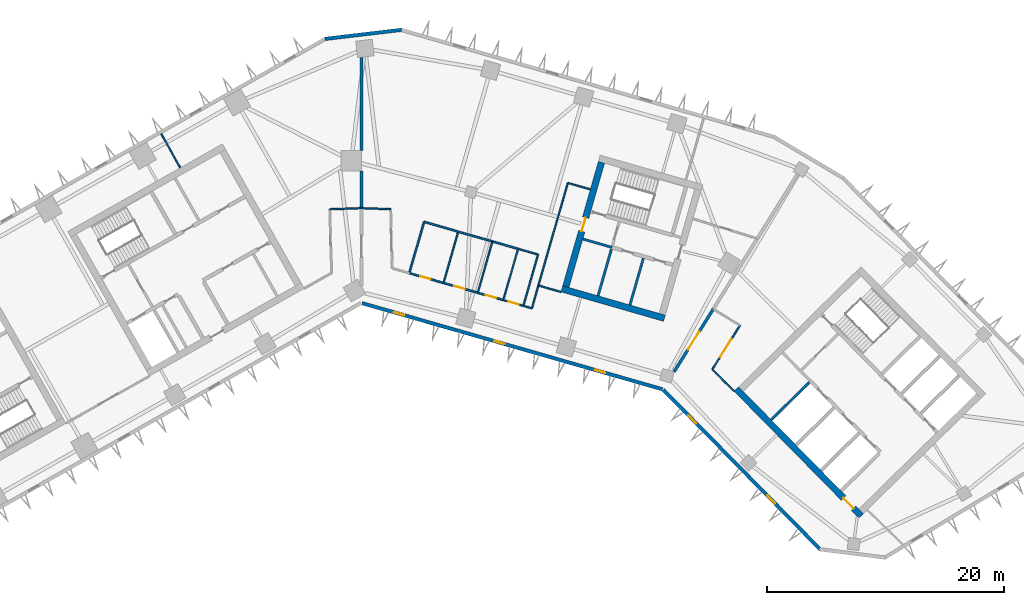
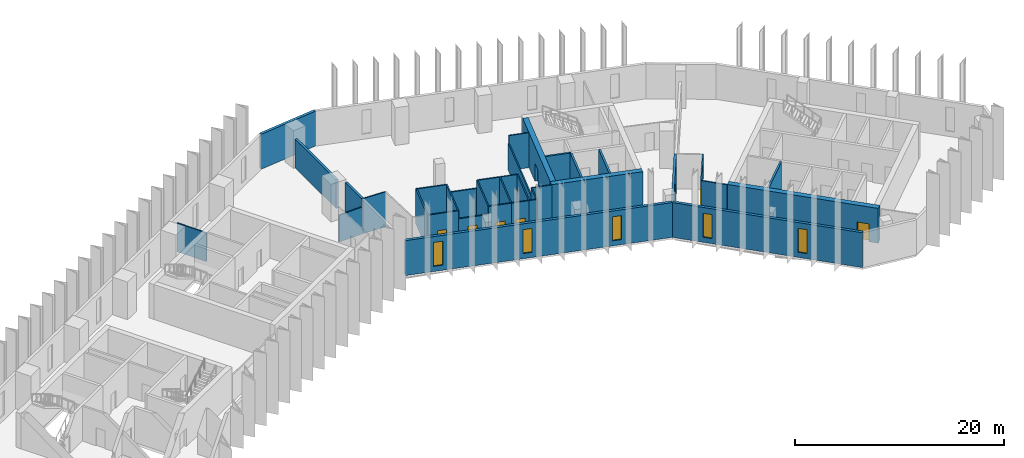
# One storey, part 5 of 11: 36 walls, 8 doors, 5 windows, 13 openings.
"""IFC4 building model written with IfcOpenShell, lengths in metres."""

from ifc_helpers import new_model, si_unit, direction, frame, frame_2d, origin, place, context, subcontext, project, spatial, rectangle, extrude, material, layer, layer_set, type_object, element, fill, save


model = new_model("IFC4")

# Units and contexts
model_context = context("Model", 3, precision=1e-05, world=origin(), true_north=direction((0.0, 1.0)))
body_context = subcontext(model_context, "Body", "Model", "MODEL_VIEW")
ifc_project = project(units=[si_unit("LENGTHUNIT", "METRE"), si_unit("AREAUNIT", "SQUARE_METRE"), si_unit("VOLUMEUNIT", "CUBIC_METRE"), si_unit("PLANEANGLEUNIT", "RADIAN"), si_unit("MASSUNIT", "GRAM", prefix="KILO")], contexts=[model_context])

# Site, building, storey
site_placement = place(None, origin())
site = spatial("IfcSite", under=ifc_project, at=site_placement, CompositionType="ELEMENT")
building_placement = place(site_placement, origin())
building = spatial("IfcBuilding", under=site, at=building_placement, Name="Binnacle Exchange Tower", CompositionType="ELEMENT")
storey_placement = place(building_placement, frame((0.0, 0.0, 123.5)))
storey = spatial("IfcBuildingStorey", under=building, at=storey_placement, Name="L25", CompositionType="ELEMENT", Elevation=123.5)

# Wall
ifc_material_1 = material(Name="Gypsum partition fire rated")
ifc_layer_1 = layer(ifc_material_1, 0.199951171875)
ifc_layer_set_1 = layer_set([ifc_layer_1], Name="Core partition 200")
wall_type_1 = type_object("IfcWallType", Name="Core partition 200", PredefinedType="PARTITIONING", material=ifc_layer_set_1)
wall_1_placement = place(storey_placement, frame((22.65087890625, 47.835205078125, 0.0), z_axis=(0.0, 0.0, 1.0), x_axis=(0.275625388668, 0.961265127383, 0.0)))
element("IfcWall", 1, at=wall_1_placement, inside=storey, type_object=wall_type_1, Name="Core wall CRWD10", PredefinedType="PARTITIONING", context=body_context, shape_type="SweptSolid", body=[
    extrude(rectangle(XDim=4.100341796875, YDim=0.199951171875, at=frame_2d((2.05029296875, 0.0))), origin(), (0.0, 0.0, 1.0), 4.080078125),
])

# Wall, opening, door
ifc_material_2 = material(Name="Concrete C70/85", Category="concrete")
ifc_layer_2 = layer(ifc_material_2, 0.550048828125)
ifc_layer_set_2 = layer_set([ifc_layer_2], Name="Core wall - outer 550")
wall_type_2 = type_object("IfcWallType", Name="Core wall - outer 550", PredefinedType="SOLIDWALL", material=ifc_layer_set_2)
wall_2_placement = place(storey_placement, frame((31.627685546875, 40.7451171875, 0.0), z_axis=(0.0, 0.0, 1.0), x_axis=(0.700911255944, -0.713248491965, 0.0)))
wall_2 = element("IfcWall", 2, at=wall_2_placement, inside=storey, type_object=wall_type_2, Name="Core wall CRWB1", PredefinedType="SOLIDWALL", context=body_context, shape_type="SweptSolid", body=[
    extrude(rectangle(XDim=15.0, YDim=0.550048828125, at=frame_2d((7.5, 0.0))), origin(), (0.0, 0.0, 1.0), 4.080078125),
])
opening_1_placement = place(wall_2_placement, frame((12.89990234375, 0.0, 0.0)))
opening_1 = element("IfcOpeningElement", 3, at=opening_1_placement, cuts=wall_2, Name="Opening DB7", PredefinedType="OPENING", context=body_context, shape_type="SweptSolid", body=[
    extrude(rectangle(XDim=1.199951171875, YDim=2.10009765625, at=frame_2d((0.60009765625, 1.050048828125))), frame((0.0, 0.284912109375, 0.0), z_axis=(0.0, -1.0, 0.0), x_axis=(1.0, 0.0, 0.0)), (0.0, 0.0, 1.0), 0.570068359375),
])
ifc_material_3 = material(Name="Steel door leaf", Category="steel")
door_type_1 = type_object("IfcDoorType", Name="Fire door 1200", OperationType="NOTDEFINED", PredefinedType="DOOR", material=ifc_material_3)
door_1_placement = place(opening_1_placement, frame((1.199951171875, 0.0, 0.0), z_axis=(0.0, 0.0, 1.0), x_axis=(-1.0, 0.0, 0.0)))
door_1 = element("IfcDoor", 4, at=door_1_placement, inside=storey, type_object=door_type_1, Name="Lift lobby entrance door core B", OperationType="SINGLE_SWING_LEFT", OverallHeight=2.10009765625, OverallWidth=1.199951171875, PredefinedType="DOOR", context=body_context, shape_type="SweptSolid", body=[
    extrude(rectangle(XDim=1.199951171875, YDim=2.10009765625, at=frame_2d((0.60009765625, 1.050048828125))), frame((0.0, 0.02490234375, 0.0), z_axis=(0.0, -1.0, 0.0), x_axis=(1.0, 0.0, 0.0)), (0.0, 0.0, 1.0), 0.050048828125),
])
fill(opening_1, door_1)

# Wall
wall_3_placement = place(storey_placement, frame((16.90380859375, 49.197265625, 0.0), z_axis=(0.0, 0.0, 1.0), x_axis=(0.96126248289, -0.275634611374, 0.0)))
element("IfcWall", 5, at=wall_3_placement, inside=storey, type_object=wall_type_2, Name="Core wall CRWD1", PredefinedType="SOLIDWALL", context=body_context, shape_type="SweptSolid", body=[
    extrude(rectangle(XDim=9.0, YDim=0.550048828125, at=frame_2d((4.5, 0.0))), origin(), (0.0, 0.0, 1.0), 4.080078125),
])

# Wall, opening, door
wall_4_placement = place(storey_placement, frame((17.243896484375, 49.3857421875, 0.0), z_axis=(0.0, 0.0, 1.0), x_axis=(0.275632146085, 0.96126318979, 0.0)))
wall_4 = element("IfcWall", 6, at=wall_4_placement, inside=storey, type_object=wall_type_2, Name="Core wall CRWD7", PredefinedType="SOLIDWALL", context=body_context, shape_type="SweptSolid", body=[
    extrude(rectangle(XDim=10.89990234375, YDim=0.550048828125, at=frame_2d((5.449951171875, 0.0))), origin(), (0.0, 0.0, 1.0), 4.080078125),
])
opening_2_placement = place(wall_4_placement, frame((4.85009765625, 0.0, 0.0)))
opening_2 = element("IfcOpeningElement", 7, at=opening_2_placement, cuts=wall_4, Name="Opening DD5", PredefinedType="OPENING", context=body_context, shape_type="SweptSolid", body=[
    extrude(rectangle(XDim=1.199951171875, YDim=2.10009765625, at=frame_2d((0.60009765625, 1.050048828125))), frame((0.0, 0.284912109375, 0.0), z_axis=(0.0, -1.0, 0.0), x_axis=(1.0, 0.0, 0.0)), (0.0, 0.0, 1.0), 0.570068359375),
])
door_2_placement = place(opening_2_placement, origin())
door_2 = element("IfcDoor", 8, at=door_2_placement, inside=storey, type_object=door_type_1, Name="Vestibule exit door VEST-W", OperationType="SINGLE_SWING_RIGHT", OverallHeight=2.10009765625, OverallWidth=1.199951171875, PredefinedType="DOOR", context=body_context, shape_type="SweptSolid", body=[
    extrude(rectangle(XDim=1.199951171875, YDim=2.10009765625, at=frame_2d((0.60009765625, 1.050048828125))), frame((0.0, 0.02490234375, 0.0), z_axis=(0.0, -1.0, 0.0), x_axis=(1.0, 0.0, 0.0)), (0.0, 0.0, 1.0), 0.050048828125),
])
fill(opening_2, door_2)

# Wall
ifc_material_4 = material(Name="Bronze aluminium cladding", Category="aluminium")
ifc_layer_3 = layer(ifc_material_4, 0.300048828125)
ifc_layer_set_3 = layer_set([ifc_layer_3], Name="External wall - spandrel 300")
wall_type_3 = type_object("IfcWallType", Name="External wall - spandrel 300", PredefinedType="STANDARD", material=ifc_layer_set_3)
wall_5_placement = place(storey_placement, frame((-3.076171875, 70.27294921875, 0.0), z_axis=(0.0, 0.0, 1.0), x_axis=(0.993067743007, 0.117543429416, 0.0)))
element("IfcWall", 9, at=wall_5_placement, inside=storey, type_object=wall_type_3, Name="External wall EW-F02 L25", PredefinedType="STANDARD", context=body_context, shape_type="SweptSolid", body=[
    extrude(rectangle(XDim=6.515625, YDim=0.300048828125, at=frame_2d((3.2578125, 0.0))), origin(), (0.0, 0.0, 1.0), 4.080078125),
])

# Wall, openings, windows
wall_6_placement = place(storey_placement, frame((25.398193359375, 40.71728515625, 0.0), z_axis=(0.0, 0.0, 1.0), x_axis=(-0.961262423262, 0.275634819324, 0.0)))
wall_6 = element("IfcWall", 10, at=wall_6_placement, inside=storey, type_object=wall_type_3, Name="External wall EW-F08 L25", PredefinedType="STANDARD", context=body_context, shape_type="SweptSolid", body=[
    extrude(rectangle(XDim=26.358642578125, YDim=0.300048828125, at=frame_2d((13.17919921875, 0.0))), origin(), (0.0, 0.0, 1.0), 4.080078125),
])
opening_3_placement = place(wall_6_placement, frame((22.6640625, 0.0, 0.60009765625)))
opening_3 = element("IfcOpeningElement", 11, at=opening_3_placement, cuts=wall_6, Name="Opening WS2", PredefinedType="OPENING", context=body_context, shape_type="SweptSolid", body=[
    extrude(rectangle(XDim=0.89990234375, YDim=2.800048828125, at=frame_2d((0.449951171875, 1.39990234375))), frame((0.0, 0.159912109375, 0.0), z_axis=(0.0, -1.0, 0.0), x_axis=(1.0, 0.0, 0.0)), (0.0, 0.0, 1.0), 0.320068359375),
])
opening_4_placement = place(wall_6_placement, frame((13.843505859375, 0.0, 0.60009765625)))
opening_4 = element("IfcOpeningElement", 12, at=opening_4_placement, cuts=wall_6, Name="Opening WS2", PredefinedType="OPENING", context=body_context, shape_type="SweptSolid", body=[
    extrude(rectangle(XDim=0.89990234375, YDim=2.800048828125, at=frame_2d((0.449951171875, 1.39990234375))), frame((0.0, 0.159912109375, 0.0), z_axis=(0.0, -1.0, 0.0), x_axis=(1.0, 0.0, 0.0)), (0.0, 0.0, 1.0), 0.320068359375),
])
opening_5_placement = place(wall_6_placement, frame((5.023193359375, 0.0, 0.60009765625)))
opening_5 = element("IfcOpeningElement", 13, at=opening_5_placement, cuts=wall_6, Name="Opening WS2", PredefinedType="OPENING", context=body_context, shape_type="SweptSolid", body=[
    extrude(rectangle(XDim=0.89990234375, YDim=2.800048828125, at=frame_2d((0.449951171875, 1.39990234375))), frame((0.0, 0.159912109375, 0.0), z_axis=(0.0, -1.0, 0.0), x_axis=(1.0, 0.0, 0.0)), (0.0, 0.0, 1.0), 0.320068359375),
])
ifc_material_5 = material(Name="Bronze anodised aluminium frame", Category="aluminium")
window_type = type_object("IfcWindowType", Name="WS2 WINDOW 900x2800", PartitioningType="SINGLE_PANEL", PredefinedType="WINDOW", material=ifc_material_5)
window_1_placement = place(opening_3_placement, origin())
window_1 = element("IfcWindow", 14, at=window_1_placement, inside=storey, type_object=window_type, Name="Window WS2 L25", OverallHeight=2.800048828125, OverallWidth=0.89990234375, PartitioningType="SINGLE_PANEL", PredefinedType="WINDOW", context=body_context, shape_type="SweptSolid", body=[
    extrude(rectangle(XDim=0.89990234375, YDim=2.800048828125, at=frame_2d((0.449951171875, 1.39990234375))), frame((0.0, 0.030029296875, 0.0), z_axis=(0.0, -1.0, 0.0), x_axis=(1.0, 0.0, 0.0)), (0.0, 0.0, 1.0), 0.06005859375),
])
fill(opening_3, window_1)
window_2_placement = place(opening_4_placement, origin())
window_2 = element("IfcWindow", 15, at=window_2_placement, inside=storey, type_object=window_type, Name="Window WS2 L25", OverallHeight=2.800048828125, OverallWidth=0.89990234375, PartitioningType="SINGLE_PANEL", PredefinedType="WINDOW", context=body_context, shape_type="SweptSolid", body=[
    extrude(rectangle(XDim=0.89990234375, YDim=2.800048828125, at=frame_2d((0.449951171875, 1.39990234375))), frame((0.0, 0.030029296875, 0.0), z_axis=(0.0, -1.0, 0.0), x_axis=(1.0, 0.0, 0.0)), (0.0, 0.0, 1.0), 0.06005859375),
])
fill(opening_4, window_2)
window_3_placement = place(opening_5_placement, origin())
window_3 = element("IfcWindow", 16, at=window_3_placement, inside=storey, type_object=window_type, Name="Window WS2 L25", OverallHeight=2.800048828125, OverallWidth=0.89990234375, PartitioningType="SINGLE_PANEL", PredefinedType="WINDOW", context=body_context, shape_type="SweptSolid", body=[
    extrude(rectangle(XDim=0.89990234375, YDim=2.800048828125, at=frame_2d((0.449951171875, 1.39990234375))), frame((0.0, 0.030029296875, 0.0), z_axis=(0.0, -1.0, 0.0), x_axis=(1.0, 0.0, 0.0)), (0.0, 0.0, 1.0), 0.06005859375),
])
fill(opening_5, window_3)

wall_7_placement = place(storey_placement, frame((38.727294921875, 27.18115234375, 0.0), z_axis=(0.0, 0.0, 1.0), x_axis=(-0.700906405975, 0.713253258011, 0.0)))
wall_7 = element("IfcWall", 17, at=wall_7_placement, inside=storey, type_object=wall_type_3, Name="External wall EW-F09 L25", PredefinedType="STANDARD", context=body_context, shape_type="SweptSolid", body=[
    extrude(rectangle(XDim=18.92333984375, YDim=0.300048828125, at=frame_2d((9.461669921875, 0.0))), origin(), (0.0, 0.0, 1.0), 4.080078125),
])
opening_6_placement = place(wall_7_placement, frame((14.967041015625, 0.0, 0.60009765625)))
opening_6 = element("IfcOpeningElement", 18, at=opening_6_placement, cuts=wall_7, Name="Opening WS2", PredefinedType="OPENING", context=body_context, shape_type="SweptSolid", body=[
    extrude(rectangle(XDim=0.89990234375, YDim=2.800048828125, at=frame_2d((0.449951171875, 1.39990234375))), frame((0.0, 0.159912109375, 0.0), z_axis=(0.0, -1.0, 0.0), x_axis=(1.0, 0.0, 0.0)), (0.0, 0.0, 1.0), 0.320068359375),
])
opening_7_placement = place(wall_7_placement, frame((5.51171875, 0.0, 0.60009765625)))
opening_7 = element("IfcOpeningElement", 19, at=opening_7_placement, cuts=wall_7, Name="Opening WS2", PredefinedType="OPENING", context=body_context, shape_type="SweptSolid", body=[
    extrude(rectangle(XDim=0.89990234375, YDim=2.800048828125, at=frame_2d((0.449951171875, 1.39990234375))), frame((0.0, 0.159912109375, 0.0), z_axis=(0.0, -1.0, 0.0), x_axis=(1.0, 0.0, 0.0)), (0.0, 0.0, 1.0), 0.320068359375),
])
window_4_placement = place(opening_6_placement, origin())
window_4 = element("IfcWindow", 20, at=window_4_placement, inside=storey, type_object=window_type, Name="Window WS2 L25", OverallHeight=2.800048828125, OverallWidth=0.89990234375, PartitioningType="SINGLE_PANEL", PredefinedType="WINDOW", context=body_context, shape_type="SweptSolid", body=[
    extrude(rectangle(XDim=0.89990234375, YDim=2.800048828125, at=frame_2d((0.449951171875, 1.39990234375))), frame((0.0, 0.030029296875, 0.0), z_axis=(0.0, -1.0, 0.0), x_axis=(1.0, 0.0, 0.0)), (0.0, 0.0, 1.0), 0.06005859375),
])
fill(opening_6, window_4)
window_5_placement = place(opening_7_placement, origin())
window_5 = element("IfcWindow", 21, at=window_5_placement, inside=storey, type_object=window_type, Name="Window WS2 L25", OverallHeight=2.800048828125, OverallWidth=0.89990234375, PartitioningType="SINGLE_PANEL", PredefinedType="WINDOW", context=body_context, shape_type="SweptSolid", body=[
    extrude(rectangle(XDim=0.89990234375, YDim=2.800048828125, at=frame_2d((0.449951171875, 1.39990234375))), frame((0.0, 0.030029296875, 0.0), z_axis=(0.0, -1.0, 0.0), x_axis=(1.0, 0.0, 0.0)), (0.0, 0.0, 1.0), 0.06005859375),
])
fill(opening_7, window_5)

# Walls
ifc_material_6 = material(Name="Concrete fire wall C30/37", Category="concrete")
ifc_layer_4 = layer(ifc_material_6, 0.25)
ifc_layer_set_4 = layer_set([ifc_layer_4], Name="Fire wall - compartment 250")
wall_type_4 = type_object("IfcWallType", Name="Fire wall - compartment 250", PredefinedType="PARTITIONING", material=ifc_layer_set_4)
wall_8_placement = place(storey_placement, frame((0.0, 56.0, 0.0), z_axis=(0.0, 0.0, 1.0), x_axis=(0.0, 1.0, 0.0)))
element("IfcWall", 22, at=wall_8_placement, inside=storey, type_object=wall_type_4, Name="Fire Wall W09", PredefinedType="PARTITIONING", context=body_context, shape_type="SweptSolid", body=[
    extrude(rectangle(XDim=3.14990234375, YDim=0.25, at=frame_2d((1.574951171875, 0.0))), origin(), (0.0, 0.0, 1.0), 4.080078125),
])
wall_9_placement = place(storey_placement, frame((0.0, 60.85009765625, 0.0), z_axis=(0.0, 0.0, 1.0), x_axis=(0.0, 1.0, 0.0)))
element("IfcWall", 23, at=wall_9_placement, inside=storey, type_object=wall_type_4, Name="Fire Wall W11", PredefinedType="PARTITIONING", context=body_context, shape_type="SweptSolid", body=[
    extrude(rectangle(XDim=7.8740234375, YDim=0.25, at=frame_2d((3.93701171875, 0.0))), origin(), (0.0, 0.0, 1.0), 3.35205078125),
])

# Wall, opening, door
wall_10_placement = place(storey_placement, frame((26.373046875, 42.2060546875, 0.0), z_axis=(0.0, 0.0, 1.0), x_axis=(0.52987567935, 0.848075329457, 0.0)))
wall_10 = element("IfcWall", 24, at=wall_10_placement, inside=storey, type_object=wall_type_4, Name="Fire Wall W32", PredefinedType="PARTITIONING", context=body_context, shape_type="SweptSolid", body=[
    extrude(rectangle(XDim=6.231689453125, YDim=0.25, at=frame_2d((3.11572265625, 0.0))), origin(), (0.0, 0.0, 1.0), 4.080078125),
])
opening_8_placement = place(wall_10_placement, frame((2.199951171875, 0.0, 0.0)))
opening_8 = element("IfcOpeningElement", 25, at=opening_8_placement, cuts=wall_10, Name="Opening DL25-11", PredefinedType="OPENING", context=body_context, shape_type="SweptSolid", body=[
    extrude(rectangle(XDim=1.800048828125, YDim=2.10009765625, at=frame_2d((0.89990234375, 1.050048828125))), frame((0.0, 0.135009765625, 0.0), z_axis=(0.0, -1.0, 0.0), x_axis=(1.0, 0.0, 0.0)), (0.0, 0.0, 1.0), 0.27001953125),
])
door_type_2 = type_object("IfcDoorType", Name="Fire door 1800", OperationType="NOTDEFINED", PredefinedType="DOOR", material=ifc_material_3)
door_3_placement = place(opening_8_placement, origin())
door_3 = element("IfcDoor", 26, at=door_3_placement, inside=storey, type_object=door_type_2, Name="Door DL25-11", OperationType="DOUBLE_DOOR_SINGLE_SWING", OverallHeight=2.10009765625, OverallWidth=1.800048828125, PredefinedType="DOOR", context=body_context, shape_type="SweptSolid", body=[
    extrude(rectangle(XDim=1.800048828125, YDim=2.10009765625, at=frame_2d((0.89990234375, 1.050048828125))), frame((0.0, 0.02490234375, 0.0), z_axis=(0.0, -1.0, 0.0), x_axis=(1.0, 0.0, 0.0)), (0.0, 0.0, 1.0), 0.050048828125),
])
fill(opening_8, door_3)

# Wall
ifc_layer_5 = layer(ifc_material_1, 0.14990234375)
ifc_layer_set_5 = layer_set([ifc_layer_5], Name="Fire-rated partition 150")
wall_type_5 = type_object("IfcWallType", Name="Fire-rated partition 150", PredefinedType="PARTITIONING", material=ifc_layer_set_5)
wall_11_placement = place(storey_placement, frame((4.04296875, 50.51806640625, 0.0), z_axis=(0.0, 0.0, 1.0), x_axis=(0.275745553681, 0.96123066411, 0.0)))
element("IfcWall", 27, at=wall_11_placement, inside=storey, type_object=wall_type_5, Name="Partition W14", PredefinedType="PARTITIONING", context=body_context, shape_type="SweptSolid", body=[
    extrude(rectangle(XDim=4.50048828125, YDim=0.14990234375, at=frame_2d((2.250244140625, 0.0))), origin(), (0.0, 0.0, 1.0), 4.080078125),
])

# Wall, opening, door
wall_12_placement = place(storey_placement, frame((4.04296875, 50.51806640625, 0.0), z_axis=(0.0, 0.0, 1.0), x_axis=(0.961247103494, -0.275688240636, 0.0)))
wall_12 = element("IfcWall", 28, at=wall_12_placement, inside=storey, type_object=wall_type_5, Name="Partition W15", PredefinedType="PARTITIONING", context=body_context, shape_type="SweptSolid", body=[
    extrude(rectangle(XDim=3.000244140625, YDim=0.14990234375, at=frame_2d((1.5, 0.0))), origin(), (0.0, 0.0, 1.0), 4.080078125),
])
opening_9_placement = place(wall_12_placement, frame((0.949951171875, 0.0, 0.0)))
opening_9 = element("IfcOpeningElement", 29, at=opening_9_placement, cuts=wall_12, Name="Opening DL25-03", PredefinedType="OPENING", context=body_context, shape_type="SweptSolid", body=[
    extrude(rectangle(XDim=0.89990234375, YDim=2.10009765625, at=frame_2d((0.449951171875, 1.050048828125))), frame((0.0, 0.0849609375, 0.0), z_axis=(0.0, -1.0, 0.0), x_axis=(1.0, 0.0, 0.0)), (0.0, 0.0, 1.0), 0.169921875),
])
door_type_3 = type_object("IfcDoorType", Name="Fire door 900", OperationType="NOTDEFINED", PredefinedType="DOOR", material=ifc_material_3)
door_4_placement = place(opening_9_placement, origin())
door_4 = element("IfcDoor", 30, at=door_4_placement, inside=storey, type_object=door_type_3, Name="Door DL25-03", OperationType="SINGLE_SWING_LEFT", OverallHeight=2.10009765625, OverallWidth=0.89990234375, PredefinedType="DOOR", context=body_context, shape_type="SweptSolid", body=[
    extrude(rectangle(XDim=0.89990234375, YDim=2.10009765625, at=frame_2d((0.449951171875, 1.050048828125))), frame((0.0, 0.02490234375, 0.0), z_axis=(0.0, -1.0, 0.0), x_axis=(1.0, 0.0, 0.0)), (0.0, 0.0, 1.0), 0.050048828125),
])
fill(opening_9, door_4)

# Wall
wall_13_placement = place(storey_placement, frame((5.283935546875, 54.843994140625, 0.0), z_axis=(0.0, 0.0, 1.0), x_axis=(0.961243927922, -0.275699312717, 0.0)))
element("IfcWall", 31, at=wall_13_placement, inside=storey, type_object=wall_type_5, Name="Partition W16", PredefinedType="PARTITIONING", context=body_context, shape_type="SweptSolid", body=[
    extrude(rectangle(XDim=2.999267578125, YDim=0.14990234375, at=frame_2d((1.49951171875, 0.0))), origin(), (0.0, 0.0, 1.0), 4.080078125),
])

# Wall, opening, door
wall_14_placement = place(storey_placement, frame((6.927001953125, 49.69091796875, 0.0), z_axis=(0.0, 0.0, 1.0), x_axis=(0.961268664977, -0.27561305073, 0.0)))
wall_14 = element("IfcWall", 32, at=wall_14_placement, inside=storey, type_object=wall_type_5, Name="Partition W18", PredefinedType="PARTITIONING", context=body_context, shape_type="SweptSolid", body=[
    extrude(rectangle(XDim=3.000244140625, YDim=0.14990234375, at=frame_2d((1.5, 0.0))), origin(), (0.0, 0.0, 1.0), 3.14208984375),
])
opening_10_placement = place(wall_14_placement, frame((0.949951171875, 0.0, 0.0)))
opening_10 = element("IfcOpeningElement", 33, at=opening_10_placement, cuts=wall_14, Name="Opening DL25-04", PredefinedType="OPENING", context=body_context, shape_type="SweptSolid", body=[
    extrude(rectangle(XDim=0.89990234375, YDim=2.10009765625, at=frame_2d((0.449951171875, 1.050048828125))), frame((0.0, 0.0849609375, 0.0), z_axis=(0.0, -1.0, 0.0), x_axis=(1.0, 0.0, 0.0)), (0.0, 0.0, 1.0), 0.169921875),
])
door_5_placement = place(opening_10_placement, origin())
door_5 = element("IfcDoor", 34, at=door_5_placement, inside=storey, type_object=door_type_3, Name="Door DL25-04", OperationType="SINGLE_SWING_LEFT", OverallHeight=2.10009765625, OverallWidth=0.89990234375, PredefinedType="DOOR", context=body_context, shape_type="SweptSolid", body=[
    extrude(rectangle(XDim=0.89990234375, YDim=2.10009765625, at=frame_2d((0.449951171875, 1.050048828125))), frame((0.0, 0.02490234375, 0.0), z_axis=(0.0, -1.0, 0.0), x_axis=(1.0, 0.0, 0.0)), (0.0, 0.0, 1.0), 0.050048828125),
])
fill(opening_10, door_5)

# Wall
wall_15_placement = place(storey_placement, frame((8.1669921875, 54.01708984375, 0.0), z_axis=(0.0, 0.0, 1.0), x_axis=(0.961247103494, -0.275688240636, 0.0)))
element("IfcWall", 35, at=wall_15_placement, inside=storey, type_object=wall_type_5, Name="Partition W19", PredefinedType="PARTITIONING", context=body_context, shape_type="SweptSolid", body=[
    extrude(rectangle(XDim=3.000244140625, YDim=0.14990234375, at=frame_2d((1.5, 0.0))), origin(), (0.0, 0.0, 1.0), 3.14208984375),
])

# Wall, opening, door
wall_16_placement = place(storey_placement, frame((9.81103515625, 48.864013671875, 0.0), z_axis=(0.0, 0.0, 1.0), x_axis=(0.961236680145, -0.275724581318, 0.0)))
wall_16 = element("IfcWall", 36, at=wall_16_placement, inside=storey, type_object=wall_type_5, Name="Partition W21", PredefinedType="PARTITIONING", context=body_context, shape_type="SweptSolid", body=[
    extrude(rectangle(XDim=2.2490234375, YDim=0.14990234375, at=frame_2d((1.12451171875, 0.0))), origin(), (0.0, 0.0, 1.0), 4.080078125),
])
opening_11_placement = place(wall_16_placement, frame((0.699951171875, 0.0, 0.0)))
opening_11 = element("IfcOpeningElement", 37, at=opening_11_placement, cuts=wall_16, Name="Opening DL25-05", PredefinedType="OPENING", context=body_context, shape_type="SweptSolid", body=[
    extrude(rectangle(XDim=0.89990234375, YDim=2.10009765625, at=frame_2d((0.449951171875, 1.050048828125))), frame((0.0, 0.0849609375, 0.0), z_axis=(0.0, -1.0, 0.0), x_axis=(1.0, 0.0, 0.0)), (0.0, 0.0, 1.0), 0.169921875),
])
door_6_placement = place(opening_11_placement, origin())
door_6 = element("IfcDoor", 38, at=door_6_placement, inside=storey, type_object=door_type_3, Name="Door DL25-05", OperationType="SINGLE_SWING_RIGHT", OverallHeight=2.10009765625, OverallWidth=0.89990234375, PredefinedType="DOOR", context=body_context, shape_type="SweptSolid", body=[
    extrude(rectangle(XDim=0.89990234375, YDim=2.10009765625, at=frame_2d((0.449951171875, 1.050048828125))), frame((0.0, 0.02490234375, 0.0), z_axis=(0.0, -1.0, 0.0), x_axis=(1.0, 0.0, 0.0)), (0.0, 0.0, 1.0), 0.050048828125),
])
fill(opening_11, door_6)

# Walls
wall_17_placement = place(storey_placement, frame((11.051025390625, 53.18994140625, 0.0), z_axis=(0.0, 0.0, 1.0), x_axis=(0.961306648438, -0.275480539547, 0.0)))
element("IfcWall", 39, at=wall_17_placement, inside=storey, type_object=wall_type_5, Name="Partition W22", PredefinedType="PARTITIONING", context=body_context, shape_type="SweptSolid", body=[
    extrude(rectangle(XDim=2.250244140625, YDim=0.14990234375, at=frame_2d((1.125, 0.0))), origin(), (0.0, 0.0, 1.0), 4.080078125),
])
ifc_material_7 = material(Name="Gypsum partition")
ifc_layer_6 = layer(ifc_material_7, 0.125)
ifc_layer_set_6 = layer_set([ifc_layer_6], Name="Partition 125")
wall_type_6 = type_object("IfcWallType", Name="Partition 125", PredefinedType="PARTITIONING", material=ifc_layer_set_6)
wall_18_placement = place(storey_placement, frame((-16.87890625, 62.278076171875, 0.0), z_axis=(0.0, 0.0, 1.0), x_axis=(0.486580163018, -0.873635933875, 0.0)))
element("IfcWall", 40, at=wall_18_placement, inside=storey, type_object=wall_type_6, Name="Partition W04", PredefinedType="PARTITIONING", context=body_context, shape_type="SweptSolid", body=[
    extrude(rectangle(XDim=3.29443359375, YDim=0.125, at=frame_2d((1.647216796875, 0.0))), origin(), (0.0, 0.0, 1.0), 3.360107421875),
])
wall_19_placement = place(storey_placement, frame((-2.669921875, 55.904052734375, 0.0), z_axis=(0.0, 0.0, 1.0), x_axis=(0.999354913865, 0.03591317494, 0.0)))
element("IfcWall", 41, at=wall_19_placement, inside=storey, type_object=wall_type_6, Name="Partition W07", PredefinedType="PARTITIONING", context=body_context, shape_type="SweptSolid", body=[
    extrude(rectangle(XDim=2.671630859375, YDim=0.125, at=frame_2d((1.3359375, 0.0))), origin(), (0.0, 0.0, 1.0), 3.14208984375),
])
wall_20_placement = place(storey_placement, frame((0.0, 56.0, 0.0), z_axis=(0.0, 0.0, 1.0), x_axis=(0.999349313684, -0.036068673934, 0.0)))
element("IfcWall", 42, at=wall_20_placement, inside=storey, type_object=wall_type_6, Name="Partition W10", PredefinedType="PARTITIONING", context=body_context, shape_type="SweptSolid", body=[
    extrude(rectangle(XDim=2.470703125, YDim=0.125, at=frame_2d((1.2353515625, 0.0))), origin(), (0.0, 0.0, 1.0), 4.080078125),
])
wall_21_placement = place(storey_placement, frame((6.927001953125, 49.69091796875, 0.0), z_axis=(0.0, 0.0, 1.0), x_axis=(0.275530671241, 0.961292280841, 0.0)))
element("IfcWall", 43, at=wall_21_placement, inside=storey, type_object=wall_type_6, Name="Partition W17", PredefinedType="PARTITIONING", context=body_context, shape_type="SweptSolid", body=[
    extrude(rectangle(XDim=4.50048828125, YDim=0.125, at=frame_2d((2.250244140625, 0.0))), origin(), (0.0, 0.0, 1.0), 4.080078125),
])
wall_22_placement = place(storey_placement, frame((9.81103515625, 48.864013671875, 0.0), z_axis=(0.0, 0.0, 1.0), x_axis=(0.275545040649, 0.96128816209, 0.0)))
element("IfcWall", 44, at=wall_22_placement, inside=storey, type_object=wall_type_6, Name="Partition W20", PredefinedType="PARTITIONING", context=body_context, shape_type="SweptSolid", body=[
    extrude(rectangle(XDim=4.500244140625, YDim=0.125, at=frame_2d((2.25, 0.0))), origin(), (0.0, 0.0, 1.0), 4.080078125),
])
wall_23_placement = place(storey_placement, frame((11.972900390625, 48.243896484375, 0.0), z_axis=(0.0, 0.0, 1.0), x_axis=(0.275781295989, 0.961220410095, 0.0)))
element("IfcWall", 45, at=wall_23_placement, inside=storey, type_object=wall_type_6, Name="Partition W23", PredefinedType="PARTITIONING", context=body_context, shape_type="SweptSolid", body=[
    extrude(rectangle(XDim=4.500732421875, YDim=0.125, at=frame_2d((2.25048828125, 0.0))), origin(), (0.0, 0.0, 1.0), 4.080078125),
])

# Wall, opening, door
wall_24_placement = place(storey_placement, frame((11.972900390625, 48.243896484375, 0.0), z_axis=(0.0, 0.0, 1.0), x_axis=(0.96136592135, -0.275273618907, 0.0)))
wall_24 = element("IfcWall", 46, at=wall_24_placement, inside=storey, type_object=wall_type_6, Name="Partition W24", PredefinedType="PARTITIONING", context=body_context, shape_type="SweptSolid", body=[
    extrude(rectangle(XDim=1.750732421875, YDim=0.125, at=frame_2d((0.87548828125, 0.0))), origin(), (0.0, 0.0, 1.0), 4.080078125),
])
opening_12_placement = place(wall_24_placement, frame((0.449951171875, 0.0, 0.0)))
opening_12 = element("IfcOpeningElement", 47, at=opening_12_placement, cuts=wall_24, Name="Opening DL25-06", PredefinedType="OPENING", context=body_context, shape_type="SweptSolid", body=[
    extrude(rectangle(XDim=0.89990234375, YDim=2.10009765625, at=frame_2d((0.449951171875, 1.050048828125))), frame((0.0, 0.072509765625, 0.0), z_axis=(0.0, -1.0, 0.0), x_axis=(1.0, 0.0, 0.0)), (0.0, 0.0, 1.0), 0.14501953125),
])
ifc_material_8 = material(Name="Timber door leaf", Category="wood")
door_type_4 = type_object("IfcDoorType", Name="Door 900", OperationType="NOTDEFINED", PredefinedType="DOOR", material=ifc_material_8)
door_7_placement = place(opening_12_placement, origin())
door_7 = element("IfcDoor", 48, at=door_7_placement, inside=storey, type_object=door_type_4, Name="Door DL25-06", OperationType="SINGLE_SWING_RIGHT", OverallHeight=2.10009765625, OverallWidth=0.89990234375, PredefinedType="DOOR", context=body_context, shape_type="SweptSolid", body=[
    extrude(rectangle(XDim=0.89990234375, YDim=2.10009765625, at=frame_2d((0.449951171875, 1.050048828125))), frame((0.0, 0.02490234375, 0.0), z_axis=(0.0, -1.0, 0.0), x_axis=(1.0, 0.0, 0.0)), (0.0, 0.0, 1.0), 0.050048828125),
])
fill(opening_12, door_7)

# Walls
wall_25_placement = place(storey_placement, frame((13.214111328125, 52.570068359375, 0.0), z_axis=(0.0, 0.0, 1.0), x_axis=(0.961276075309, -0.275587204055, 0.0)))
element("IfcWall", 49, at=wall_25_placement, inside=storey, type_object=wall_type_6, Name="Partition W25", PredefinedType="PARTITIONING", context=body_context, shape_type="SweptSolid", body=[
    extrude(rectangle(XDim=1.749755859375, YDim=0.125, at=frame_2d((0.875, 0.0))), origin(), (0.0, 0.0, 1.0), 4.080078125),
])
wall_26_placement = place(storey_placement, frame((13.656005859375, 47.761962890625, 0.0), z_axis=(0.0, 0.0, 1.0), x_axis=(0.961154610169, -0.276010534854, 0.0)))
element("IfcWall", 50, at=wall_26_placement, inside=storey, type_object=wall_type_6, Name="Partition W26", PredefinedType="PARTITIONING", context=body_context, shape_type="SweptSolid", body=[
    extrude(rectangle(XDim=0.75, YDim=0.125, at=frame_2d((0.375, 0.0))), origin(), (0.0, 0.0, 1.0), 4.080078125),
])
wall_27_placement = place(storey_placement, frame((13.656005859375, 47.761962890625, 0.0), z_axis=(0.0, 0.0, 1.0), x_axis=(0.275545040649, 0.96128816209, 0.0)))
element("IfcWall", 51, at=wall_27_placement, inside=storey, type_object=wall_type_6, Name="Partition W27", PredefinedType="PARTITIONING", context=body_context, shape_type="SweptSolid", body=[
    extrude(rectangle(XDim=4.500244140625, YDim=0.125, at=frame_2d((2.25, 0.0))), origin(), (0.0, 0.0, 1.0), 4.080078125),
])
wall_28_placement = place(storey_placement, frame((14.376953125, 47.554931640625, 0.0), z_axis=(0.0, 0.0, 1.0), x_axis=(0.275446387355, 0.961316434736, 0.0)))
element("IfcWall", 52, at=wall_28_placement, inside=storey, type_object=wall_type_6, Name="Partition W28", PredefinedType="PARTITIONING", context=body_context, shape_type="SweptSolid", body=[
    extrude(rectangle(XDim=2.00048828125, YDim=0.125, at=frame_2d((1.000244140625, 0.0))), origin(), (0.0, 0.0, 1.0), 4.080078125),
])
wall_29_placement = place(storey_placement, frame((14.927978515625, 49.47802734375, 0.0), z_axis=(0.0, 0.0, 1.0), x_axis=(0.961243778232, -0.27569983462, 0.0)))
element("IfcWall", 53, at=wall_29_placement, inside=storey, type_object=wall_type_6, Name="Partition W29", PredefinedType="PARTITIONING", context=body_context, shape_type="SweptSolid", body=[
    extrude(rectangle(XDim=1.9765625, YDim=0.125, at=frame_2d((0.98828125, 0.0))), origin(), (0.0, 0.0, 1.0), 4.080078125),
])
wall_30_placement = place(storey_placement, frame((14.927978515625, 49.47802734375, 0.0), z_axis=(0.0, 0.0, 1.0), x_axis=(0.275674053528, 0.961251172281, 0.0)))
element("IfcWall", 54, at=wall_30_placement, inside=storey, type_object=wall_type_6, Name="Partition W30", PredefinedType="PARTITIONING", context=body_context, shape_type="SweptSolid", body=[
    extrude(rectangle(XDim=8.99951171875, YDim=0.125, at=frame_2d((4.499755859375, 0.0))), origin(), (0.0, 0.0, 1.0), 3.14208984375),
])
wall_31_placement = place(storey_placement, frame((17.408935546875, 58.12890625, 0.0), z_axis=(0.0, 0.0, 1.0), x_axis=(0.961253165474, -0.275667103345, 0.0)))
element("IfcWall", 55, at=wall_31_placement, inside=storey, type_object=wall_type_6, Name="Partition W31", PredefinedType="PARTITIONING", context=body_context, shape_type="SweptSolid", body=[
    extrude(rectangle(XDim=1.976806640625, YDim=0.125, at=frame_2d((0.98828125, 0.0))), origin(), (0.0, 0.0, 1.0), 4.080078125),
])
wall_32_placement = place(storey_placement, frame((29.60009765625, 42.416015625, 0.0), z_axis=(0.0, 0.0, 1.0), x_axis=(0.700914320664, -0.713245480244, 0.0)))
element("IfcWall", 56, at=wall_32_placement, inside=storey, type_object=wall_type_6, Name="Partition W35", PredefinedType="PARTITIONING", context=body_context, shape_type="SweptSolid", body=[
    extrude(rectangle(XDim=2.613525390625, YDim=0.125, at=frame_2d((1.306640625, 0.0))), origin(), (0.0, 0.0, 1.0), 4.080078125),
])

# Wall, opening, door
wall_33_placement = place(storey_placement, frame((29.60009765625, 42.416015625, 0.0), z_axis=(0.0, 0.0, 1.0), x_axis=(0.533582711531, 0.84574788794, 0.0)))
wall_33 = element("IfcWall", 57, at=wall_33_placement, inside=storey, type_object=wall_type_6, Name="Partition W36", PredefinedType="PARTITIONING", context=body_context, shape_type="SweptSolid", body=[
    extrude(rectangle(XDim=4.366455078125, YDim=0.125, at=frame_2d((2.18310546875, 0.0))), origin(), (0.0, 0.0, 1.0), 4.080078125),
])
opening_13_placement = place(wall_33_placement, frame((1.199951171875, 0.0, 0.0)))
opening_13 = element("IfcOpeningElement", 58, at=opening_13_placement, cuts=wall_33, Name="Opening DL25-09", PredefinedType="OPENING", context=body_context, shape_type="SweptSolid", body=[
    extrude(rectangle(XDim=1.800048828125, YDim=2.10009765625, at=frame_2d((0.89990234375, 1.050048828125))), frame((0.0, 0.072509765625, 0.0), z_axis=(0.0, -1.0, 0.0), x_axis=(1.0, 0.0, 0.0)), (0.0, 0.0, 1.0), 0.14501953125),
])
door_type_5 = type_object("IfcDoorType", Name="Double door 1800", OperationType="NOTDEFINED", PredefinedType="DOOR", material=ifc_material_8)
door_8_placement = place(opening_13_placement, frame((1.800048828125, 0.0, 0.0), z_axis=(0.0, 0.0, 1.0), x_axis=(-1.0, 0.0, 0.0)))
door_8 = element("IfcDoor", 59, at=door_8_placement, inside=storey, type_object=door_type_5, Name="Door DL25-09", OperationType="DOUBLE_DOOR_SINGLE_SWING", OverallHeight=2.10009765625, OverallWidth=1.800048828125, PredefinedType="DOOR", context=body_context, shape_type="SweptSolid", body=[
    extrude(rectangle(XDim=1.800048828125, YDim=2.10009765625, at=frame_2d((0.89990234375, 1.050048828125))), frame((0.0, 0.02490234375, 0.0), z_axis=(0.0, -1.0, 0.0), x_axis=(1.0, 0.0, 0.0)), (0.0, 0.0, 1.0), 0.050048828125),
])
fill(opening_13, door_8)

# Walls
ifc_material_9 = material(Name="Masonry block wall", Category="masonry")
ifc_layer_7 = layer(ifc_material_9, 0.199951171875)
ifc_layer_set_7 = layer_set([ifc_layer_7], Name="Riser wall 200")
wall_type_7 = type_object("IfcWallType", Name="Riser wall 200", PredefinedType="SOLIDWALL", material=ifc_layer_set_7)
wall_34_placement = place(storey_placement, frame((34.5576171875, 38.15625, 0.0), z_axis=(0.0, 0.0, 1.0), x_axis=(0.713237924006, 0.700922009755, 0.0)))
element("IfcWall", 60, at=wall_34_placement, inside=storey, type_object=wall_type_7, Name="Core wall CRWB9", PredefinedType="SOLIDWALL", context=body_context, shape_type="SweptSolid", body=[
    extrude(rectangle(XDim=4.499755859375, YDim=0.199951171875, at=frame_2d((2.25, 0.0))), origin(), (0.0, 0.0, 1.0), 4.080078125),
])
wall_35_placement = place(storey_placement, frame((18.6796875, 53.3955078125, 0.0), z_axis=(0.0, 0.0, 1.0), x_axis=(0.961234387647, -0.275732573349, 0.0)))
element("IfcWall", 61, at=wall_35_placement, inside=storey, type_object=wall_type_7, Name="Core wall CRWD2", PredefinedType="SOLIDWALL", context=body_context, shape_type="SweptSolid", body=[
    extrude(rectangle(XDim=2.550048828125, YDim=0.199951171875, at=frame_2d((1.27490234375, 0.0))), origin(), (0.0, 0.0, 1.0), 4.080078125),
])
wall_36_placement = place(storey_placement, frame((19.95947265625, 48.607177734375, 0.0), z_axis=(0.0, 0.0, 1.0), x_axis=(0.275641165445, 0.961260603537, 0.0)))
element("IfcWall", 62, at=wall_36_placement, inside=storey, type_object=wall_type_7, Name="Core wall CRWD8", PredefinedType="SOLIDWALL", context=body_context, shape_type="SweptSolid", body=[
    extrude(rectangle(XDim=4.10009765625, YDim=0.199951171875, at=frame_2d((2.050048828125, 0.0))), origin(), (0.0, 0.0, 1.0), 4.080078125),
])

save(model, "model.ifc")
